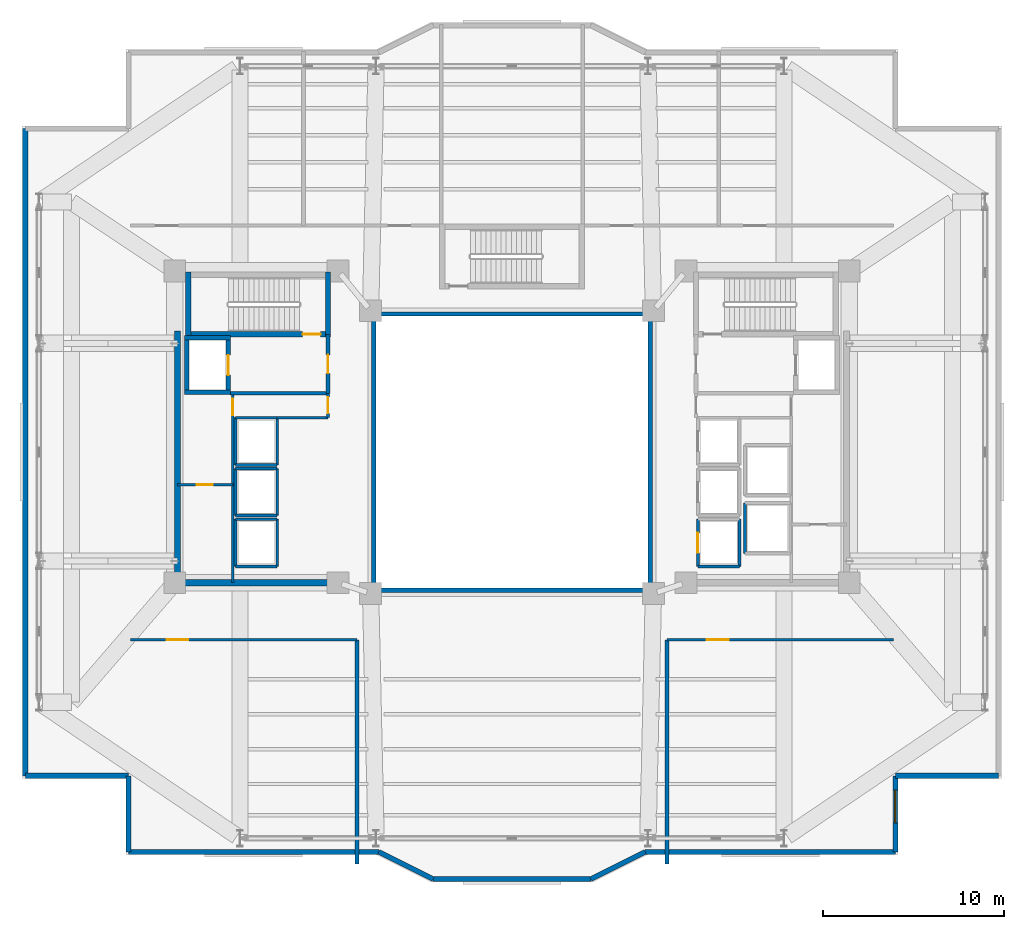
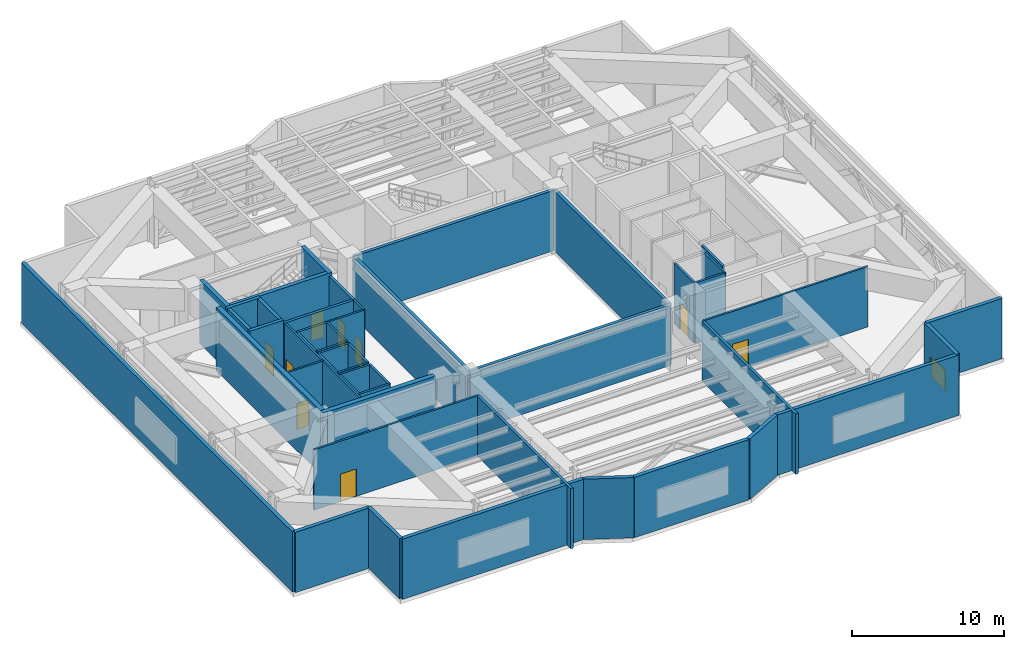
# One storey, part 8 of 13: 49 walls, 9 doors, 1 window, 10 openings.
"""IFC4 building model written with IfcOpenShell, lengths in metres."""

from ifc_helpers import new_model, si_unit, direction, frame, frame_2d, origin, place, context, subcontext, project, spatial, rectangle, extrude, material, layer, layer_set, type_object, element, fill, save


model = new_model("IFC4")

# Units and contexts
model_context = context("Model", 3, precision=1e-05, world=origin(), true_north=direction((0.0, 1.0)))
body_context = subcontext(model_context, "Body", "Model", "MODEL_VIEW")
ifc_project = project(units=[si_unit("LENGTHUNIT", "METRE"), si_unit("AREAUNIT", "SQUARE_METRE"), si_unit("VOLUMEUNIT", "CUBIC_METRE"), si_unit("PLANEANGLEUNIT", "RADIAN"), si_unit("MASSUNIT", "GRAM", prefix="KILO")], contexts=[model_context])

# Site, building, storey
site_placement = place(None, origin())
site = spatial("IfcSite", under=ifc_project, at=site_placement, CompositionType="ELEMENT")
building_placement = place(site_placement, origin())
building = spatial("IfcBuilding", under=site, at=building_placement, Name="Tarnavaz Court Tower", CompositionType="ELEMENT")
storey_placement = place(building_placement, frame((0.0, 0.0, 127.5)))
storey = spatial("IfcBuildingStorey", under=building, at=storey_placement, Name="L34", CompositionType="ELEMENT", Elevation=127.5)

# Wall
ifc_material_1 = material(Name="Concrete C60/75", Category="concrete")
ifc_layer_1 = layer(ifc_material_1, 0.25)
ifc_layer_set_1 = layer_set([ifc_layer_1], Name="Concrete C60/75")
wall_type_1 = type_object("IfcWallType", Name="WL-CORE-250-C60", PredefinedType="SHEAR", material=ifc_layer_set_1)
wall_1_placement = place(storey_placement, frame((-17.949951171875, 3.175048828125, 0.0), z_axis=(0.0, 0.0, 1.0), x_axis=(0.0, 1.0, 0.0)))
element("IfcWall", 1, at=wall_1_placement, inside=storey, type_object=wall_type_1, Name="L34 Lift FL-W1 Shaft Wall 017", PredefinedType="SHEAR", context=body_context, shape_type="SweptSolid", body=[
    extrude(rectangle(XDim=3.25, YDim=0.25, at=frame_2d((1.625, 0.0))), origin(), (0.0, 0.0, 1.0), 5.10009765625),
])

# Wall, opening, door
wall_2_placement = place(storey_placement, frame((-15.64990234375, 3.175048828125, 0.0), z_axis=(0.0, 0.0, 1.0), x_axis=(0.0, 1.0, 0.0)))
wall_2 = element("IfcWall", 2, at=wall_2_placement, inside=storey, type_object=wall_type_1, Name="L34 Lift FL-W1 Shaft Wall 018", PredefinedType="SHEAR", context=body_context, shape_type="SweptSolid", body=[
    extrude(rectangle(XDim=3.25, YDim=0.25, at=frame_2d((1.625, 0.0))), origin(), (0.0, 0.0, 1.0), 5.10009765625),
])
opening_1_placement = place(wall_2_placement, frame((1.074951171875, 0.0, 0.0)))
opening_1 = element("IfcOpeningElement", 3, at=opening_1_placement, cuts=wall_2, Name="Opening LD1", PredefinedType="OPENING", context=body_context, shape_type="SweptSolid", body=[
    extrude(rectangle(XDim=1.10009765625, YDim=2.14990234375, at=frame_2d((0.550048828125, 1.074951171875))), frame((0.0, 0.135009765625, 0.0), z_axis=(0.0, -1.0, 0.0), x_axis=(1.0, 0.0, 0.0)), (0.0, 0.0, 1.0), 0.27001953125),
])
ifc_material_2 = material(Name="Stainless Steel", Category="steel")
door_type_1 = type_object("IfcDoorType", Name="DR-LD-1100", OperationType="NOTDEFINED", PredefinedType="DOOR", material=ifc_material_2)
door_1_placement = place(opening_1_placement, origin())
door_1 = element("IfcDoor", 4, at=door_1_placement, inside=storey, type_object=door_type_1, Name="L34 Lift Landing Door LD-FL-W1", OperationType="SLIDING_TO_LEFT", OverallHeight=2.14990234375, OverallWidth=1.10009765625, PredefinedType="DOOR", context=body_context, shape_type="SweptSolid", body=[
    extrude(rectangle(XDim=1.10009765625, YDim=2.14990234375, at=frame_2d((0.550048828125, 1.074951171875))), frame((0.0, 0.02490234375, 0.0), z_axis=(0.0, -1.0, 0.0), x_axis=(1.0, 0.0, 0.0)), (0.0, 0.0, 1.0), 0.050048828125),
])
fill(opening_1, door_1)

# Walls
for number, where, z_axis, x_axis, name in (
    (5, (-18.074951171875, 3.300048828125, 0.0), (0.0, 0.0, 1.0), (1.0, 0.0, 0.0), "L34 Lift FL-W1 Shaft Wall 019"),
    (6, (-18.074951171875, 6.300048828125, 0.0), (0.0, 0.0, 1.0), (1.0, 0.0, 0.0), "L34 Lift FL-W1 Shaft Wall 020"),
):
    element("IfcWall", number, at=place(storey_placement, frame(where, z_axis=z_axis, x_axis=x_axis)), inside=storey, type_object=wall_type_1, Name=name, PredefinedType="SHEAR", context=body_context, shape_type="SweptSolid", body=[
        extrude(rectangle(XDim=2.550048828125, YDim=0.25, at=frame_2d((1.27490234375, 0.0))), origin(), (0.0, 0.0, 1.0), 5.10009765625),
    ])

# Wall, opening, door
ifc_layer_2 = layer(ifc_material_1, 0.300048828125)
ifc_layer_set_2 = layer_set([ifc_layer_2], Name="Concrete C60/75")
wall_type_2 = type_object("IfcWallType", Name="WL-CORE-300-C60", PredefinedType="SHEAR", material=ifc_layer_set_2)
wall_3_placement = place(storey_placement, frame((-18.0, 6.5, 0.0), z_axis=(0.0, 0.0, 1.0), x_axis=(1.0, 0.0, 0.0)))
wall_3 = element("IfcWall", 7, at=wall_3_placement, inside=storey, type_object=wall_type_2, Name="L34 West Stair Core Wall 002", PredefinedType="SHEAR", context=body_context, shape_type="SweptSolid", body=[
    extrude(rectangle(XDim=8.0, YDim=0.300048828125, at=frame_2d((4.0, 0.0))), origin(), (0.0, 0.0, 1.0), 5.10009765625),
])
opening_2_placement = place(wall_3_placement, frame((6.449951171875, 0.0, 0.0)))
opening_2 = element("IfcOpeningElement", 8, at=opening_2_placement, cuts=wall_3, Name="Opening D01", PredefinedType="OPENING", context=body_context, shape_type="SweptSolid", body=[
    extrude(rectangle(XDim=1.0, YDim=2.14990234375, at=frame_2d((0.5, 1.074951171875))), frame((0.0, 0.159912109375, 0.0), z_axis=(0.0, -1.0, 0.0), x_axis=(1.0, 0.0, 0.0)), (0.0, 0.0, 1.0), 0.320068359375),
])
ifc_material_3 = material(Name="Fire-Rated Hardwood Timber Core", Category="wood")
door_type_2 = type_object("IfcDoorType", Name="DR-FD90-1000", OperationType="NOTDEFINED", PredefinedType="DOOR", material=ifc_material_3)
door_2_placement = place(opening_2_placement, origin())
door_2 = element("IfcDoor", 9, at=door_2_placement, inside=storey, type_object=door_type_2, Name="L34 Stair ST-W1 Exit Door", OperationType="SINGLE_SWING_LEFT", OverallHeight=2.14990234375, OverallWidth=1.0, PredefinedType="DOOR", context=body_context, shape_type="SweptSolid", body=[
    extrude(rectangle(XDim=1.0, YDim=2.14990234375, at=frame_2d((0.5, 1.074951171875))), frame((0.0, 0.02490234375, 0.0), z_axis=(0.0, -1.0, 0.0), x_axis=(1.0, 0.0, 0.0)), (0.0, 0.0, 1.0), 0.050048828125),
])
fill(opening_2, door_2)

# Walls
for number, where, z_axis, x_axis, name in (
    (10, (-17.85009765625, 6.35009765625, 0.0), (0.0, 0.0, 1.0), (0.0, 1.0, 0.0), "L34 West Stair Core Wall 003"),
    (11, (-10.14990234375, 6.35009765625, 0.0), (0.0, 0.0, 1.0), (0.0, 1.0, 0.0), "L34 West Stair Core Wall 004"),
):
    element("IfcWall", number, at=place(storey_placement, frame(where, z_axis=z_axis, x_axis=x_axis)), inside=storey, type_object=wall_type_2, Name=name, PredefinedType="SHEAR", context=body_context, shape_type="SweptSolid", body=[
        extrude(rectangle(XDim=3.58984375, YDim=0.300048828125, at=frame_2d((1.794921875, 0.0))), origin(), (0.0, 0.0, 1.0), 5.10009765625),
    ])
ifc_layer_3 = layer(ifc_material_1, 0.35009765625)
ifc_layer_set_3 = layer_set([ifc_layer_3], Name="Concrete C60/75")
wall_type_3 = type_object("IfcWallType", Name="WL-CORE-350-C60", PredefinedType="SHEAR", material=ifc_layer_set_3)
wall_4_placement = place(storey_placement, frame((-18.449951171875, -7.375, 0.0), z_axis=(0.0, 0.0, 1.0), x_axis=(0.0, 1.0, 0.0)))
element("IfcWall", 12, at=wall_4_placement, inside=storey, type_object=wall_type_3, Name="L34 West Core Shear Wall 057", PredefinedType="SHEAR", context=body_context, shape_type="SweptSolid", body=[
    extrude(rectangle(XDim=14.050048828125, YDim=0.35009765625, at=frame_2d((7.02490234375, 0.0))), origin(), (0.0, 0.0, 1.0), 5.10009765625),
])
wall_5_placement = place(storey_placement, frame((-18.625, -7.199951171875, 0.0), z_axis=(0.0, 0.0, 1.0), x_axis=(1.0, 0.0, 0.0)))
element("IfcWall", 13, at=wall_5_placement, inside=storey, type_object=wall_type_3, Name="L34 West Core South Shear Wall 058", PredefinedType="SHEAR", context=body_context, shape_type="SweptSolid", body=[
    extrude(rectangle(XDim=8.550048828125, YDim=0.35009765625, at=frame_2d((4.27490234375, 0.0))), origin(), (0.0, 0.0, 1.0), 5.10009765625),
])
ifc_material_4 = material(Name="Precast Concrete C40/50", Category="concrete")
ifc_layer_4 = layer(ifc_material_4, 0.280029296875)
ifc_layer_set_4 = layer_set([ifc_layer_4], Name="Precast Concrete C40/50")
wall_type_4 = type_object("IfcWallType", Name="WL-EXT-280", PredefinedType="SOLIDWALL", material=ifc_layer_set_4)
wall_6_placement = place(storey_placement, frame((-21.14990234375, -17.85009765625, 0.0), z_axis=(0.0, 0.0, 1.0), x_axis=(-1.0, 0.0, 0.0)))
element("IfcWall", 14, at=wall_6_placement, inside=storey, type_object=wall_type_4, Name="L34 Exterior Terracotta Facade Wall 01", PredefinedType="SOLIDWALL", context=body_context, shape_type="SweptSolid", body=[
    extrude(rectangle(XDim=5.7001953125, YDim=0.280029296875, at=frame_2d((2.85009765625, 0.0))), origin(), (0.0, 0.0, 1.0), 4.85009765625),
])
wall_7_placement = place(storey_placement, frame((-26.85009765625, -17.85009765625, 0.0), z_axis=(0.0, 0.0, 1.0), x_axis=(0.0, 1.0, 0.0)))
element("IfcWall", 15, at=wall_7_placement, inside=storey, type_object=wall_type_4, Name="L34 Exterior Terracotta Facade Wall 02", PredefinedType="SOLIDWALL", context=body_context, shape_type="SweptSolid", body=[
    extrude(rectangle(XDim=35.7001953125, YDim=0.280029296875, at=frame_2d((17.85009765625, 0.0))), origin(), (0.0, 0.0, 1.0), 4.85009765625),
])
wall_8_placement = place(storey_placement, frame((26.85009765625, -17.85009765625, 0.0), z_axis=(0.0, 0.0, 1.0), x_axis=(-1.0, 0.0, 0.0)))
element("IfcWall", 16, at=wall_8_placement, inside=storey, type_object=wall_type_4, Name="L34 Exterior Terracotta Facade Wall 13", PredefinedType="SOLIDWALL", context=body_context, shape_type="SweptSolid", body=[
    extrude(rectangle(XDim=5.7001953125, YDim=0.280029296875, at=frame_2d((2.85009765625, 0.0))), origin(), (0.0, 0.0, 1.0), 4.85009765625),
])

# Wall, opening, window
wall_9_placement = place(storey_placement, frame((21.14990234375, -17.85009765625, 0.0), z_axis=(0.0, 0.0, 1.0), x_axis=(0.0, -1.0, 0.0)))
wall_9 = element("IfcWall", 17, at=wall_9_placement, inside=storey, type_object=wall_type_4, Name="L34 Exterior Terracotta Facade Wall 14", PredefinedType="SOLIDWALL", context=body_context, shape_type="SweptSolid", body=[
    extrude(rectangle(XDim=4.199951171875, YDim=0.280029296875, at=frame_2d((2.10009765625, 0.0))), origin(), (0.0, 0.0, 1.0), 4.85009765625),
])
opening_3_placement = place(wall_9_placement, frame((0.795166015625, 0.0, 0.89990234375)))
opening_3 = element("IfcOpeningElement", 18, at=opening_3_placement, cuts=wall_9, Name="Opening W01", PredefinedType="OPENING", context=body_context, shape_type="SweptSolid", body=[
    extrude(rectangle(XDim=1.800048828125, YDim=1.64990234375, at=frame_2d((0.89990234375, 0.824951171875))), frame((0.0, 0.14990234375, 0.0), z_axis=(0.0, -1.0, 0.0), x_axis=(1.0, 0.0, 0.0)), (0.0, 0.0, 1.0), 0.300048828125),
])
ifc_material_5 = material(Name="Double-Glazed Solar Low-E Glass", Category="glass")
window_type = type_object("IfcWindowType", Name="WN-APT-1800", PartitioningType="DOUBLE_PANEL_VERTICAL", PredefinedType="WINDOW", material=ifc_material_5)
window_placement = place(opening_3_placement, origin())
window = element("IfcWindow", 19, at=window_placement, inside=storey, type_object=window_type, Name="L34 South Protected Refuge Holding Area Window", OverallHeight=1.64990234375, OverallWidth=1.800048828125, PartitioningType="SINGLE_PANEL", PredefinedType="WINDOW", context=body_context, shape_type="SweptSolid", body=[
    extrude(rectangle(XDim=1.800048828125, YDim=1.64990234375, at=frame_2d((0.89990234375, 0.824951171875))), frame((0.0, 0.030029296875, 0.0), z_axis=(0.0, -1.0, 0.0), x_axis=(1.0, 0.0, 0.0)), (0.0, 0.0, 1.0), 0.06005859375),
])
fill(opening_3, window)

# Walls
wall_10_placement = place(storey_placement, frame((21.14990234375, -22.050048828125, 0.0), z_axis=(0.0, 0.0, 1.0), x_axis=(-1.0, 0.0, 0.0)))
element("IfcWall", 20, at=wall_10_placement, inside=storey, type_object=wall_type_4, Name="L34 Exterior Terracotta Facade Wall 15", PredefinedType="SOLIDWALL", context=body_context, shape_type="SweptSolid", body=[
    extrude(rectangle(XDim=13.7998046875, YDim=0.280029296875, at=frame_2d((6.89990234375, 0.0))), origin(), (0.0, 0.0, 1.0), 4.85009765625),
])
wall_11_placement = place(storey_placement, frame((7.35009765625, -22.050048828125, 0.0), z_axis=(0.0, 0.0, 1.0), x_axis=(-0.894427191, -0.4472135955, 0.0)))
element("IfcWall", 21, at=wall_11_placement, inside=storey, type_object=wall_type_4, Name="L34 Exterior Terracotta Facade Wall 16", PredefinedType="SOLIDWALL", context=body_context, shape_type="SweptSolid", body=[
    extrude(rectangle(XDim=3.35400390625, YDim=0.280029296875, at=frame_2d((1.677001953125, 0.0))), origin(), (0.0, 0.0, 1.0), 4.85009765625),
])
wall_12_placement = place(storey_placement, frame((4.35009765625, -23.550048828125, 0.0), z_axis=(0.0, 0.0, 1.0), x_axis=(-1.0, 0.0, 0.0)))
element("IfcWall", 22, at=wall_12_placement, inside=storey, type_object=wall_type_4, Name="L34 Exterior Terracotta Facade Wall 17", PredefinedType="SOLIDWALL", context=body_context, shape_type="SweptSolid", body=[
    extrude(rectangle(XDim=8.7001953125, YDim=0.280029296875, at=frame_2d((4.35009765625, 0.0))), origin(), (0.0, 0.0, 1.0), 4.85009765625),
])
wall_13_placement = place(storey_placement, frame((-4.35009765625, -23.550048828125, 0.0), z_axis=(0.0, 0.0, 1.0), x_axis=(-0.894427191, 0.4472135955, 0.0)))
element("IfcWall", 23, at=wall_13_placement, inside=storey, type_object=wall_type_4, Name="L34 Exterior Terracotta Facade Wall 18", PredefinedType="SOLIDWALL", context=body_context, shape_type="SweptSolid", body=[
    extrude(rectangle(XDim=3.35400390625, YDim=0.280029296875, at=frame_2d((1.677001953125, 0.0))), origin(), (0.0, 0.0, 1.0), 4.85009765625),
])
wall_14_placement = place(storey_placement, frame((-7.35009765625, -22.050048828125, 0.0), z_axis=(0.0, 0.0, 1.0), x_axis=(-1.0, 0.0, 0.0)))
element("IfcWall", 24, at=wall_14_placement, inside=storey, type_object=wall_type_4, Name="L34 Exterior Terracotta Facade Wall 19", PredefinedType="SOLIDWALL", context=body_context, shape_type="SweptSolid", body=[
    extrude(rectangle(XDim=13.7998046875, YDim=0.280029296875, at=frame_2d((6.89990234375, 0.0))), origin(), (0.0, 0.0, 1.0), 4.85009765625),
])
wall_15_placement = place(storey_placement, frame((-21.14990234375, -22.050048828125, 0.0), z_axis=(0.0, 0.0, 1.0), x_axis=(0.0, 1.0, 0.0)))
element("IfcWall", 25, at=wall_15_placement, inside=storey, type_object=wall_type_4, Name="L34 Exterior Terracotta Facade Wall 20", PredefinedType="SOLIDWALL", context=body_context, shape_type="SweptSolid", body=[
    extrude(rectangle(XDim=4.199951171875, YDim=0.280029296875, at=frame_2d((2.10009765625, 0.0))), origin(), (0.0, 0.0, 1.0), 4.85009765625),
])

# Wall, opening, door
ifc_material_6 = material(Name="Gypsum Fire-Board on Acoustic Metal Stud", Category="masonry")
ifc_layer_5 = layer(ifc_material_6, 0.14990234375)
ifc_layer_set_5 = layer_set([ifc_layer_5], Name="Gypsum Fire-Board on Acoustic Metal Stud")
wall_type_5 = type_object("IfcWallType", Name="WL-FIRE-150", PredefinedType="PARTITIONING", material=ifc_layer_set_5)
wall_16_placement = place(storey_placement, frame((-21.050048828125, -10.35009765625, 0.0), z_axis=(0.0, 0.0, 1.0), x_axis=(1.0, 0.0, 0.0)))
wall_16 = element("IfcWall", 26, at=wall_16_placement, inside=storey, type_object=wall_type_5, Name="L34 SW Horseshoe Wall 071", PredefinedType="PARTITIONING", context=body_context, shape_type="SweptSolid", body=[
    extrude(rectangle(XDim=12.5, YDim=0.14990234375, at=frame_2d((6.25, 0.0))), origin(), (0.0, 0.0, 1.0), 4.85009765625),
])
opening_4_placement = place(wall_16_placement, frame((2.0, 0.0, 0.0)))
opening_4 = element("IfcOpeningElement", 27, at=opening_4_placement, cuts=wall_16, Name="Opening D03", PredefinedType="OPENING", context=body_context, shape_type="SweptSolid", body=[
    extrude(rectangle(XDim=1.199951171875, YDim=2.199951171875, at=frame_2d((0.60009765625, 1.10009765625))), frame((0.0, 0.0849609375, 0.0), z_axis=(0.0, -1.0, 0.0), x_axis=(1.0, 0.0, 0.0)), (0.0, 0.0, 1.0), 0.169921875),
])
door_type_3 = type_object("IfcDoorType", Name="DR-FD90-1200", OperationType="NOTDEFINED", PredefinedType="DOOR", material=ifc_material_3)
door_3_placement = place(opening_4_placement, origin())
door_3 = element("IfcDoor", 28, at=door_3_placement, inside=storey, type_object=door_type_3, Name="L34 Electrical Switchgear Plant Door", OperationType="SINGLE_SWING_LEFT", OverallHeight=2.199951171875, OverallWidth=1.199951171875, PredefinedType="DOOR", context=body_context, shape_type="SweptSolid", body=[
    extrude(rectangle(XDim=1.199951171875, YDim=2.199951171875, at=frame_2d((0.60009765625, 1.10009765625))), frame((0.0, 0.02490234375, 0.0), z_axis=(0.0, -1.0, 0.0), x_axis=(1.0, 0.0, 0.0)), (0.0, 0.0, 1.0), 0.050048828125),
])
fill(opening_4, door_3)

wall_17_placement = place(storey_placement, frame((8.550048828125, -10.35009765625, 0.0), z_axis=(0.0, 0.0, 1.0), x_axis=(1.0, 0.0, 0.0)))
wall_17 = element("IfcWall", 29, at=wall_17_placement, inside=storey, type_object=wall_type_5, Name="L34 SE Horseshoe Wall 072", PredefinedType="PARTITIONING", context=body_context, shape_type="SweptSolid", body=[
    extrude(rectangle(XDim=12.5, YDim=0.14990234375, at=frame_2d((6.25, 0.0))), origin(), (0.0, 0.0, 1.0), 4.85009765625),
])
opening_5_placement = place(wall_17_placement, frame((2.199951171875, 0.0, 0.0)))
opening_5 = element("IfcOpeningElement", 30, at=opening_5_placement, cuts=wall_17, Name="Opening D03", PredefinedType="OPENING", context=body_context, shape_type="SweptSolid", body=[
    extrude(rectangle(XDim=1.199951171875, YDim=2.199951171875, at=frame_2d((0.60009765625, 1.10009765625))), frame((0.0, 0.0849609375, 0.0), z_axis=(0.0, -1.0, 0.0), x_axis=(1.0, 0.0, 0.0)), (0.0, 0.0, 1.0), 0.169921875),
])
door_4_placement = place(opening_5_placement, origin())
door_4 = element("IfcDoor", 31, at=door_4_placement, inside=storey, type_object=door_type_3, Name="L34 South Refuge Area Door", OperationType="SINGLE_SWING_RIGHT", OverallHeight=2.199951171875, OverallWidth=1.199951171875, PredefinedType="DOOR", context=body_context, shape_type="SweptSolid", body=[
    extrude(rectangle(XDim=1.199951171875, YDim=2.199951171875, at=frame_2d((0.60009765625, 1.10009765625))), frame((0.0, 0.02490234375, 0.0), z_axis=(0.0, -1.0, 0.0), x_axis=(1.0, 0.0, 0.0)), (0.0, 0.0, 1.0), 0.050048828125),
])
fill(opening_5, door_4)

# Wall
ifc_material_7 = material(Name="Autoclaved Aerated Concrete Blockwork", Category="masonry")
ifc_layer_6 = layer(ifc_material_7, 0.199951171875)
ifc_layer_set_6 = layer_set([ifc_layer_6], Name="Autoclaved Aerated Concrete Blockwork")
wall_type_6 = type_object("IfcWallType", Name="WL-FIRE-200", PredefinedType="SOLIDWALL", material=ifc_layer_set_6)
wall_18_placement = place(storey_placement, frame((-15.550048828125, 3.25, 0.0), z_axis=(0.0, 0.0, 1.0), x_axis=(1.0, 0.0, 0.0)))
element("IfcWall", 32, at=wall_18_placement, inside=storey, type_object=wall_type_6, Name="L34 West Firefighting Lobby Wall 013", PredefinedType="SOLIDWALL", context=body_context, shape_type="SweptSolid", body=[
    extrude(rectangle(XDim=5.400146484375, YDim=0.199951171875, at=frame_2d((2.7001953125, 0.0))), origin(), (0.0, 0.0, 1.0), 4.85009765625),
])

# Wall, opening, door
wall_19_placement = place(storey_placement, frame((-10.14990234375, 3.25, 0.0), z_axis=(0.0, 0.0, 1.0), x_axis=(0.0, 1.0, 0.0)))
wall_19 = element("IfcWall", 33, at=wall_19_placement, inside=storey, type_object=wall_type_6, Name="L34 West Firefighting Lobby Wall 014", PredefinedType="SOLIDWALL", context=body_context, shape_type="SweptSolid", body=[
    extrude(rectangle(XDim=3.25, YDim=0.199951171875, at=frame_2d((1.625, 0.0))), origin(), (0.0, 0.0, 1.0), 4.85009765625),
])
opening_6_placement = place(wall_19_placement, frame((1.10009765625, 0.0, 0.0)))
opening_6 = element("IfcOpeningElement", 34, at=opening_6_placement, cuts=wall_19, Name="Opening D05", PredefinedType="OPENING", context=body_context, shape_type="SweptSolid", body=[
    extrude(rectangle(XDim=1.02001953125, YDim=2.14990234375, at=frame_2d((0.510009765625, 1.074951171875))), frame((0.0, 0.10986328125, 0.0), z_axis=(0.0, -1.0, 0.0), x_axis=(1.0, 0.0, 0.0)), (0.0, 0.0, 1.0), 0.219970703125),
])
door_type_4 = type_object("IfcDoorType", Name="DR-FD60-1000", OperationType="NOTDEFINED", PredefinedType="DOOR", material=ifc_material_3)
door_5_placement = place(opening_6_placement, origin())
door_5 = element("IfcDoor", 35, at=door_5_placement, inside=storey, type_object=door_type_4, Name="L34 West Firefighting Lobby Door", OperationType="SINGLE_SWING_RIGHT", OverallHeight=2.14990234375, OverallWidth=1.02001953125, PredefinedType="DOOR", context=body_context, shape_type="SweptSolid", body=[
    extrude(rectangle(XDim=1.02001953125, YDim=2.14990234375, at=frame_2d((0.510009765625, 1.074951171875))), frame((0.0, 0.02490234375, 0.0), z_axis=(0.0, -1.0, 0.0), x_axis=(1.0, 0.0, 0.0)), (0.0, 0.0, 1.0), 0.050048828125),
])
fill(opening_6, door_5)

# Walls
for number, where, z_axis, x_axis, name in (
    (36, (-8.550048828125, -22.7041015625, 0.0), (0.0, 0.0, 1.0), (0.0, 1.0, 0.0), "L34 Interior Partition 077"),
    (37, (8.550048828125, -22.7041015625, 0.0), (0.0, 0.0, 1.0), (0.0, 1.0, 0.0), "L34 Interior Partition 078"),
):
    element("IfcWall", number, at=place(storey_placement, frame(where, z_axis=z_axis, x_axis=x_axis)), inside=storey, type_object=wall_type_6, Name=name, PredefinedType="SOLIDWALL", context=body_context, shape_type="SweptSolid", body=[
        extrude(rectangle(XDim=12.35400390625, YDim=0.199951171875, at=frame_2d((6.177001953125, 0.0))), origin(), (0.0, 0.0, 1.0), 4.85009765625),
    ])
ifc_material_8 = material(Name="Gypsum Plasterboard Acoustic Partition", Category="masonry")
ifc_layer_7 = layer(ifc_material_8, 0.139892578125)
ifc_layer_set_7 = layer_set([ifc_layer_7], Name="Gypsum Plasterboard Acoustic Partition")
wall_type_7 = type_object("IfcWallType", Name="WL-PART-150", PredefinedType="PARTITIONING", material=ifc_layer_set_7)
wall_20_placement = place(storey_placement, frame((-12.949951171875, 1.89990234375, 0.0), z_axis=(0.0, 0.0, 1.0), x_axis=(1.0, 0.0, 0.0)))
element("IfcWall", 38, at=wall_20_placement, inside=storey, type_object=wall_type_7, Name="L34 Interior Partition 061", PredefinedType="PARTITIONING", context=body_context, shape_type="SweptSolid", body=[
    extrude(rectangle(XDim=2.800048828125, YDim=0.139892578125, at=frame_2d((1.39990234375, 0.0))), origin(), (0.0, 0.0, 1.0), 4.85009765625),
])

# Wall, opening, door
wall_21_placement = place(storey_placement, frame((-10.14990234375, 1.919921875, 0.0), z_axis=(0.0, 0.0, 1.0), x_axis=(0.0, 1.0, 0.0)))
wall_21 = element("IfcWall", 39, at=wall_21_placement, inside=storey, type_object=wall_type_7, Name="L34 Interior Partition 062", PredefinedType="PARTITIONING", context=body_context, shape_type="SweptSolid", body=[
    extrude(rectangle(XDim=1.330078125, YDim=0.139892578125, at=frame_2d((0.6650390625, 0.0))), origin(), (0.0, 0.0, 1.0), 4.85009765625),
])
opening_7_placement = place(wall_21_placement, frame((0.219970703125, 0.0, 0.0)))
opening_7 = element("IfcOpeningElement", 40, at=opening_7_placement, cuts=wall_21, Name="Opening D09", PredefinedType="OPENING", context=body_context, shape_type="SweptSolid", body=[
    extrude(rectangle(XDim=0.89990234375, YDim=2.080078125, at=frame_2d((0.449951171875, 1.0400390625))), frame((0.0, 0.079833984375, 0.0), z_axis=(0.0, -1.0, 0.0), x_axis=(1.0, 0.0, 0.0)), (0.0, 0.0, 1.0), 0.159912109375),
])
door_type_5 = type_object("IfcDoorType", Name="DR-FD30-900", OperationType="NOTDEFINED", PredefinedType="DOOR", material=ifc_material_3)
door_6_placement = place(opening_7_placement, origin())
door_6 = element("IfcDoor", 41, at=door_6_placement, inside=storey, type_object=door_type_5, Name="L34 West Core Service Lobby Door", OperationType="SINGLE_SWING_LEFT", OverallHeight=2.080078125, OverallWidth=0.89990234375, PredefinedType="DOOR", context=body_context, shape_type="SweptSolid", body=[
    extrude(rectangle(XDim=0.89990234375, YDim=2.080078125, at=frame_2d((0.449951171875, 1.0400390625))), frame((0.0, 0.02490234375, 0.0), z_axis=(0.0, -1.0, 0.0), x_axis=(1.0, 0.0, 0.0)), (0.0, 0.0, 1.0), 0.050048828125),
])
fill(opening_7, door_6)

wall_22_placement = place(storey_placement, frame((-15.39990234375, -7.199951171875, 0.0), z_axis=(0.0, 0.0, 1.0), x_axis=(0.0, 1.0, 0.0)))
wall_22 = element("IfcWall", 42, at=wall_22_placement, inside=storey, type_object=wall_type_7, Name="L34 Interior Partition 063", PredefinedType="PARTITIONING", context=body_context, shape_type="SweptSolid", body=[
    extrude(rectangle(XDim=10.449951171875, YDim=0.139892578125, at=frame_2d((5.22509765625, 0.0))), origin(), (0.0, 0.0, 1.0), 4.85009765625),
])
opening_8_placement = place(wall_22_placement, frame((9.25, 0.0, 0.0)))
opening_8 = element("IfcOpeningElement", 43, at=opening_8_placement, cuts=wall_22, Name="Opening D09", PredefinedType="OPENING", context=body_context, shape_type="SweptSolid", body=[
    extrude(rectangle(XDim=0.89990234375, YDim=2.080078125, at=frame_2d((0.449951171875, 1.0400390625))), frame((0.0, 0.079833984375, 0.0), z_axis=(0.0, -1.0, 0.0), x_axis=(1.0, 0.0, 0.0)), (0.0, 0.0, 1.0), 0.159912109375),
])
door_7_placement = place(opening_8_placement, origin())
door_7 = element("IfcDoor", 44, at=door_7_placement, inside=storey, type_object=door_type_5, Name="L34 West Telecom Room Door", OperationType="SINGLE_SWING_RIGHT", OverallHeight=2.080078125, OverallWidth=0.89990234375, PredefinedType="DOOR", context=body_context, shape_type="SweptSolid", body=[
    extrude(rectangle(XDim=0.89990234375, YDim=2.080078125, at=frame_2d((0.449951171875, 1.0400390625))), frame((0.0, 0.02490234375, 0.0), z_axis=(0.0, -1.0, 0.0), x_axis=(1.0, 0.0, 0.0)), (0.0, 0.0, 1.0), 0.050048828125),
])
fill(opening_8, door_7)

wall_23_placement = place(storey_placement, frame((-18.449951171875, -1.800048828125, 0.0), z_axis=(0.0, 0.0, 1.0), x_axis=(1.0, 0.0, 0.0)))
wall_23 = element("IfcWall", 45, at=wall_23_placement, inside=storey, type_object=wall_type_7, Name="L34 Interior Partition 064", PredefinedType="PARTITIONING", context=body_context, shape_type="SweptSolid", body=[
    extrude(rectangle(XDim=3.050048828125, YDim=0.139892578125, at=frame_2d((1.52490234375, 0.0))), origin(), (0.0, 0.0, 1.0), 4.85009765625),
])
opening_9_placement = place(wall_23_placement, frame((1.050048828125, 0.0, 0.0)))
opening_9 = element("IfcOpeningElement", 46, at=opening_9_placement, cuts=wall_23, Name="Opening D09", PredefinedType="OPENING", context=body_context, shape_type="SweptSolid", body=[
    extrude(rectangle(XDim=0.89990234375, YDim=2.080078125, at=frame_2d((0.449951171875, 1.0400390625))), frame((0.0, 0.079833984375, 0.0), z_axis=(0.0, -1.0, 0.0), x_axis=(1.0, 0.0, 0.0)), (0.0, 0.0, 1.0), 0.159912109375),
])
door_8_placement = place(opening_9_placement, origin())
door_8 = element("IfcDoor", 47, at=door_8_placement, inside=storey, type_object=door_type_5, Name="L34 West Electrical Room Door", OperationType="SINGLE_SWING_LEFT", OverallHeight=2.080078125, OverallWidth=0.89990234375, PredefinedType="DOOR", context=body_context, shape_type="SweptSolid", body=[
    extrude(rectangle(XDim=0.89990234375, YDim=2.080078125, at=frame_2d((0.449951171875, 1.0400390625))), frame((0.0, 0.02490234375, 0.0), z_axis=(0.0, -1.0, 0.0), x_axis=(1.0, 0.0, 0.0)), (0.0, 0.0, 1.0), 0.050048828125),
])
fill(opening_9, door_8)

# Walls
ifc_layer_8 = layer(ifc_material_7, 0.159912109375)
ifc_layer_set_8 = layer_set([ifc_layer_8], Name="Autoclaved Aerated Concrete Blockwork")
wall_type_8 = type_object("IfcWallType", Name="WL-SHAFT-150", PredefinedType="SOLIDWALL", material=ifc_layer_set_8)
for number, where, z_axis, x_axis, name in (
    (48, (-15.25, -6.300048828125, 0.0), (0.0, 0.0, 1.0), (0.0, 1.0, 0.0), "L34 Lift PL-H1 Shaft Wall 021"),
    (49, (-12.949951171875, -6.300048828125, 0.0), (0.0, 0.0, 1.0), (0.0, 1.0, 0.0), "L34 Lift PL-H1 Shaft Wall 022"),
):
    element("IfcWall", number, at=place(storey_placement, frame(where, z_axis=z_axis, x_axis=x_axis)), inside=storey, type_object=wall_type_8, Name=name, PredefinedType="SOLIDWALL", context=body_context, shape_type="SweptSolid", body=[
        extrude(rectangle(XDim=2.60009765625, YDim=0.159912109375, at=frame_2d((1.300048828125, 0.0))), origin(), (0.0, 0.0, 1.0), 4.85009765625),
    ])
for number, where, z_axis, x_axis, name in (
    (50, (-15.25, -6.300048828125, 0.0), (0.0, 0.0, 1.0), (1.0, 0.0, 0.0), "L34 Lift PL-H1 Shaft Wall 023"),
    (51, (-15.25, -3.699951171875, 0.0), (0.0, 0.0, 1.0), (1.0, 0.0, 0.0), "L34 Lift PL-H1 Shaft Wall 024"),
):
    element("IfcWall", number, at=place(storey_placement, frame(where, z_axis=z_axis, x_axis=x_axis)), inside=storey, type_object=wall_type_8, Name=name, PredefinedType="SOLIDWALL", context=body_context, shape_type="SweptSolid", body=[
        extrude(rectangle(XDim=2.300048828125, YDim=0.159912109375, at=frame_2d((1.14990234375, 0.0))), origin(), (0.0, 0.0, 1.0), 4.85009765625),
    ])
for number, where, z_axis, x_axis, name in (
    (52, (-15.25, -3.5, 0.0), (0.0, 0.0, 1.0), (0.0, 1.0, 0.0), "L34 Lift PL-H2 Shaft Wall 025"),
    (53, (-12.949951171875, -3.5, 0.0), (0.0, 0.0, 1.0), (0.0, 1.0, 0.0), "L34 Lift PL-H2 Shaft Wall 026"),
):
    element("IfcWall", number, at=place(storey_placement, frame(where, z_axis=z_axis, x_axis=x_axis)), inside=storey, type_object=wall_type_8, Name=name, PredefinedType="SOLIDWALL", context=body_context, shape_type="SweptSolid", body=[
        extrude(rectangle(XDim=2.60009765625, YDim=0.159912109375, at=frame_2d((1.300048828125, 0.0))), origin(), (0.0, 0.0, 1.0), 4.85009765625),
    ])
for number, where, z_axis, x_axis, name in (
    (54, (-15.25, -3.5, 0.0), (0.0, 0.0, 1.0), (1.0, 0.0, 0.0), "L34 Lift PL-H2 Shaft Wall 027"),
    (55, (-15.25, -0.89990234375, 0.0), (0.0, 0.0, 1.0), (1.0, 0.0, 0.0), "L34 Lift PL-H2 Shaft Wall 028"),
):
    element("IfcWall", number, at=place(storey_placement, frame(where, z_axis=z_axis, x_axis=x_axis)), inside=storey, type_object=wall_type_8, Name=name, PredefinedType="SOLIDWALL", context=body_context, shape_type="SweptSolid", body=[
        extrude(rectangle(XDim=2.300048828125, YDim=0.159912109375, at=frame_2d((1.14990234375, 0.0))), origin(), (0.0, 0.0, 1.0), 4.85009765625),
    ])
for number, where, z_axis, x_axis, name in (
    (56, (-15.25, -0.699951171875, 0.0), (0.0, 0.0, 1.0), (0.0, 1.0, 0.0), "L34 Lift PL-H3 Shaft Wall 029"),
    (57, (-12.949951171875, -0.699951171875, 0.0), (0.0, 0.0, 1.0), (0.0, 1.0, 0.0), "L34 Lift PL-H3 Shaft Wall 030"),
):
    element("IfcWall", number, at=place(storey_placement, frame(where, z_axis=z_axis, x_axis=x_axis)), inside=storey, type_object=wall_type_8, Name=name, PredefinedType="SOLIDWALL", context=body_context, shape_type="SweptSolid", body=[
        extrude(rectangle(XDim=2.599853515625, YDim=0.159912109375, at=frame_2d((1.2998046875, 0.0))), origin(), (0.0, 0.0, 1.0), 4.85009765625),
    ])
for number, where, z_axis, x_axis, name in (
    (58, (-15.25, -0.699951171875, 0.0), (0.0, 0.0, 1.0), (1.0, 0.0, 0.0), "L34 Lift PL-H3 Shaft Wall 031"),
    (59, (-15.25, 1.89990234375, 0.0), (0.0, 0.0, 1.0), (1.0, 0.0, 0.0), "L34 Lift PL-H3 Shaft Wall 032"),
):
    element("IfcWall", number, at=place(storey_placement, frame(where, z_axis=z_axis, x_axis=x_axis)), inside=storey, type_object=wall_type_8, Name=name, PredefinedType="SOLIDWALL", context=body_context, shape_type="SweptSolid", body=[
        extrude(rectangle(XDim=2.300048828125, YDim=0.159912109375, at=frame_2d((1.14990234375, 0.0))), origin(), (0.0, 0.0, 1.0), 4.85009765625),
    ])

# Wall, opening, door
wall_24_placement = place(storey_placement, frame((10.25, -6.300048828125, 0.0), z_axis=(0.0, 0.0, 1.0), x_axis=(0.0, 1.0, 0.0)))
wall_24 = element("IfcWall", 60, at=wall_24_placement, inside=storey, type_object=wall_type_8, Name="L34 Lift PL-M1 Shaft Wall 037", PredefinedType="SOLIDWALL", context=body_context, shape_type="SweptSolid", body=[
    extrude(rectangle(XDim=2.60009765625, YDim=0.159912109375, at=frame_2d((1.300048828125, 0.0))), origin(), (0.0, 0.0, 1.0), 4.85009765625),
])
opening_10_placement = place(wall_24_placement, frame((0.75, 0.0, 0.0)))
opening_10 = element("IfcOpeningElement", 61, at=opening_10_placement, cuts=wall_24, Name="Opening LD1", PredefinedType="OPENING", context=body_context, shape_type="SweptSolid", body=[
    extrude(rectangle(XDim=1.10009765625, YDim=2.14990234375, at=frame_2d((0.550048828125, 1.074951171875))), frame((0.0, 0.08984375, 0.0), z_axis=(0.0, -1.0, 0.0), x_axis=(1.0, 0.0, 0.0)), (0.0, 0.0, 1.0), 0.179931640625),
])
door_9_placement = place(opening_10_placement, origin())
door_9 = element("IfcDoor", 62, at=door_9_placement, inside=storey, type_object=door_type_1, Name="L34 Lift Landing Door LD-PL-M1", OperationType="SLIDING_TO_LEFT", OverallHeight=2.14990234375, OverallWidth=1.10009765625, PredefinedType="DOOR", context=body_context, shape_type="SweptSolid", body=[
    extrude(rectangle(XDim=1.10009765625, YDim=2.14990234375, at=frame_2d((0.550048828125, 1.074951171875))), frame((0.0, 0.02490234375, 0.0), z_axis=(0.0, -1.0, 0.0), x_axis=(1.0, 0.0, 0.0)), (0.0, 0.0, 1.0), 0.050048828125),
])
fill(opening_10, door_9)

# Walls
wall_25_placement = place(storey_placement, frame((12.550048828125, -6.300048828125, 0.0), z_axis=(0.0, 0.0, 1.0), x_axis=(0.0, 1.0, 0.0)))
element("IfcWall", 63, at=wall_25_placement, inside=storey, type_object=wall_type_8, Name="L34 Lift PL-M1 Shaft Wall 038", PredefinedType="SOLIDWALL", context=body_context, shape_type="SweptSolid", body=[
    extrude(rectangle(XDim=2.60009765625, YDim=0.159912109375, at=frame_2d((1.300048828125, 0.0))), origin(), (0.0, 0.0, 1.0), 4.85009765625),
])
wall_26_placement = place(storey_placement, frame((10.25, -6.300048828125, 0.0), z_axis=(0.0, 0.0, 1.0), x_axis=(1.0, 0.0, 0.0)))
element("IfcWall", 64, at=wall_26_placement, inside=storey, type_object=wall_type_8, Name="L34 Lift PL-M1 Shaft Wall 039", PredefinedType="SOLIDWALL", context=body_context, shape_type="SweptSolid", body=[
    extrude(rectangle(XDim=2.300048828125, YDim=0.159912109375, at=frame_2d((1.14990234375, 0.0))), origin(), (0.0, 0.0, 1.0), 4.85009765625),
])
wall_27_placement = place(storey_placement, frame((12.85009765625, -5.60009765625, 0.0), z_axis=(0.0, 0.0, 1.0), x_axis=(0.0, 1.0, 0.0)))
element("IfcWall", 65, at=wall_27_placement, inside=storey, type_object=wall_type_8, Name="L34 Lift PL-OB1 Shaft Wall 049", PredefinedType="SOLIDWALL", context=body_context, shape_type="SweptSolid", body=[
    extrude(rectangle(XDim=2.800048828125, YDim=0.159912109375, at=frame_2d((1.39990234375, 0.0))), origin(), (0.0, 0.0, 1.0), 4.85009765625),
])
ifc_layer_9 = layer(ifc_material_4, 0.239990234375)
ifc_layer_set_9 = layer_set([ifc_layer_9], Name="Precast Concrete C40/50")
wall_type_9 = type_object("IfcWallType", Name="WL-WELL-240", PredefinedType="SOLIDWALL", material=ifc_layer_set_9)
for number, where, z_axis, x_axis, name in (
    (66, (-7.6201171875, -7.6201171875, 0.0), (0.0, 0.0, 1.0), (1.0, 0.0, 0.0), "L34 Badgir Light-Well Exterior Wall S"),
    (67, (7.6201171875, -7.6201171875, 0.0), (0.0, 0.0, 1.0), (0.0, 1.0, 0.0), "L34 Badgir Light-Well Exterior Wall E"),
    (68, (7.6201171875, 7.6201171875, 0.0), (0.0, 0.0, 1.0), (-1.0, 0.0, 0.0), "L34 Badgir Light-Well Exterior Wall N"),
    (69, (-7.6201171875, 7.6201171875, 0.0), (0.0, 0.0, 1.0), (0.0, -1.0, 0.0), "L34 Badgir Light-Well Exterior Wall W"),
):
    element("IfcWall", number, at=place(storey_placement, frame(where, z_axis=z_axis, x_axis=x_axis)), inside=storey, type_object=wall_type_9, Name=name, PredefinedType="SOLIDWALL", context=body_context, shape_type="SweptSolid", body=[
        extrude(rectangle(XDim=15.240234375, YDim=0.239990234375, at=frame_2d((7.6201171875, 0.0))), origin(), (0.0, 0.0, 1.0), 4.85009765625),
    ])

save(model, "model.ifc")
